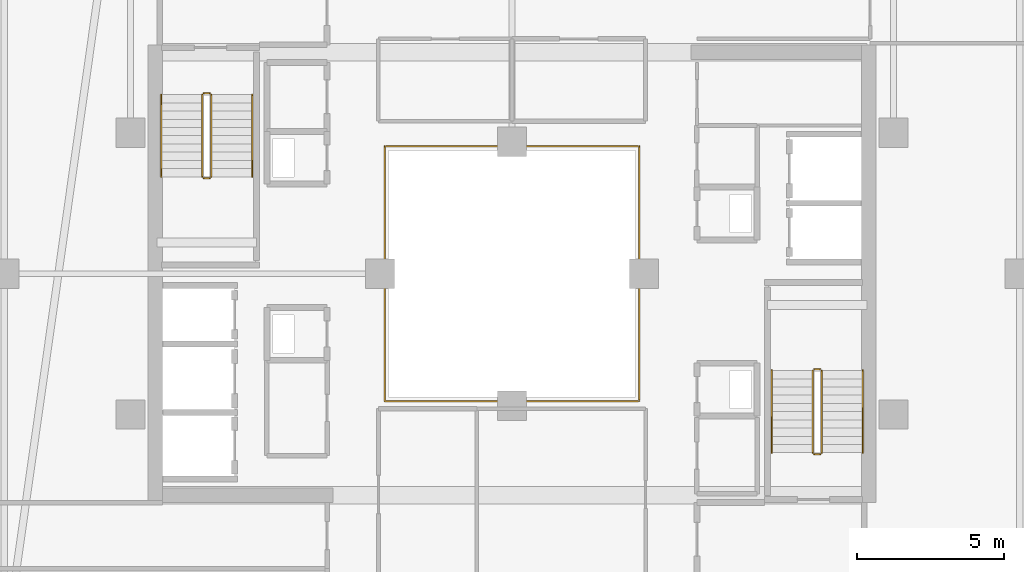
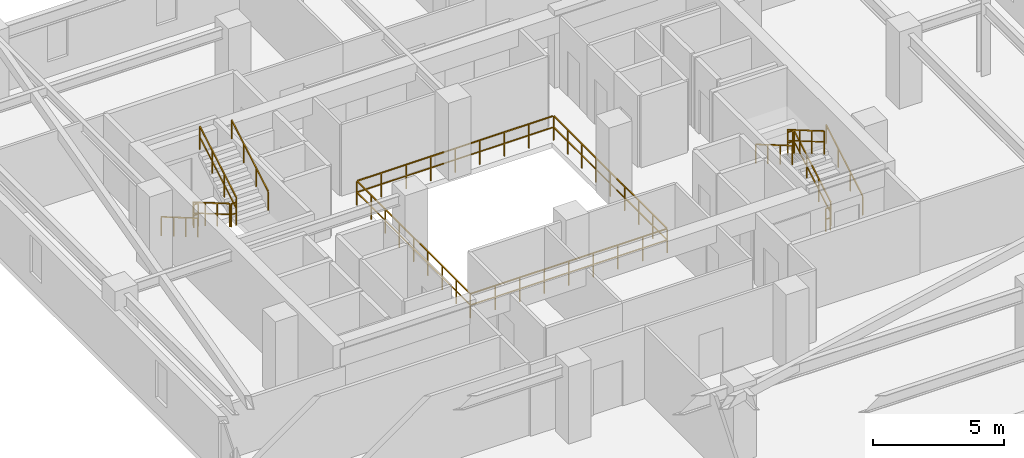
# One storey, part 31 of 32: 13 railings.
"""IFC4 building model written with IfcOpenShell, lengths in metres."""

import ifcopenshell
import ifcopenshell.guid

model = None  # the IFC model being written
_history = None  # IfcOwnerHistory: only IFC2X3 demands one
_inside = {}  # id of a spatial element -> (the spatial element, [elements in it])
_under = {}  # id of a project, library or spatial element -> (it, [spatial elements below it])
_declared = {}  # id of a project -> (the project, [libraries it declares])
_typed = {}  # id of a type object -> (the type object, [elements of that type])
_made_of = {}  # id of a material, layer set ... -> (it, [elements and type objects made of it])


def new_model(schema):
    """Start an empty IFC model of exactly this schema.

    Asked for "IFC4X3", IfcOpenShell would pick the latest addendum, in which some entities
    have other attributes; the version numbers below select the first issue.
    IFC2X3 requires an IfcOwnerHistory on every rooted entity: one is made here for all.
    """
    global model, _history
    if schema == "IFC4X3":
        model = ifcopenshell.file(schema_version=(4, 3, 0, 0))
    else:
        model = ifcopenshell.file(schema=schema)
    _inside.clear()
    _under.clear()
    _declared.clear()
    _typed.clear()
    _made_of.clear()
    _history = None
    if model.schema == "IFC2X3":
        org = make("IfcOrganization", Name="unknown")
        user = make(
            "IfcPersonAndOrganization",
            ThePerson=make("IfcPerson", FamilyName="unknown"),
            TheOrganization=org,
        )
        app = make(
            "IfcApplication",
            ApplicationDeveloper=org,
            Version="unknown",
            ApplicationFullName="unknown",
            ApplicationIdentifier="unknown",
        )
        _history = make(
            "IfcOwnerHistory",
            OwningUser=user,
            OwningApplication=app,
            ChangeAction="ADDED",
            CreationDate=0,
        )
    return model


def make(cls, **values):
    """One entity of the class cls with the attributes given. An attribute that is None is left unset."""
    return model.create_entity(
        cls, **{name: value for name, value in values.items() if value is not None}
    )


def rooted(cls, **values):
    """An entity with a GlobalId (a new one), such as an element, a storey or a relation."""
    return make(cls, GlobalId=ifcopenshell.guid.new(), OwnerHistory=_history, **values)


def si_unit(unit_type, name, prefix=None):
    """IfcSIUnit, for example si_unit("LENGTHUNIT", "METRE", prefix="MILLI")."""
    return make("IfcSIUnit", UnitType=unit_type, Prefix=prefix, Name=name)


def assignment(units):
    """IfcUnitAssignment: the units of a project."""
    return None if units is None else make("IfcUnitAssignment", Units=units)


def point(xyz):
    """IfcCartesianPoint."""
    return None if xyz is None else make("IfcCartesianPoint", Coordinates=xyz)


def direction(xyz):
    """IfcDirection."""
    return None if xyz is None else make("IfcDirection", DirectionRatios=xyz)


def frame(location, z_axis=None, x_axis=None):
    """IfcAxis2Placement3D, a coordinate frame: its origin and axes. An axis left out is left unset."""
    return make(
        "IfcAxis2Placement3D",
        Location=point(location),
        Axis=direction(z_axis),
        RefDirection=direction(x_axis),
    )


def frame_2d(location, x_axis=None):
    """IfcAxis2Placement2D, a coordinate frame in the plane: its origin and x axis."""
    return make(
        "IfcAxis2Placement2D", Location=point(location), RefDirection=direction(x_axis)
    )


def origin():
    """The frame at (0, 0, 0) with its axes left unset."""
    return frame((0.0, 0.0, 0.0))


def origin_2d():
    """The frame at (0, 0) in the plane with its x axis left unset."""
    return frame_2d((0.0, 0.0))


def place(relative_to, where):
    """IfcLocalPlacement: puts the frame where relative to a parent placement (None: the world)."""
    return make(
        "IfcLocalPlacement", PlacementRelTo=relative_to, RelativePlacement=where
    )


def context(
    kind, dimensions, precision=None, world=None, true_north=None, identifier=None
):
    """IfcGeometricRepresentationContext, for example the 3D "Model" context."""
    return make(
        "IfcGeometricRepresentationContext",
        ContextIdentifier=identifier,
        ContextType=kind,
        CoordinateSpaceDimension=dimensions,
        Precision=precision,
        WorldCoordinateSystem=world,
        TrueNorth=true_north,
    )


def subcontext(parent, identifier, kind, view, scale=None):
    """IfcGeometricRepresentationSubContext, for example "Body" below "Model"."""
    return make(
        "IfcGeometricRepresentationSubContext",
        ContextIdentifier=identifier,
        ContextType=kind,
        ParentContext=parent,
        TargetScale=scale,
        TargetView=view,
    )


def project(units=None, contexts=None):
    """IfcProject with its units and contexts."""
    return rooted(
        "IfcProject",
        Name="project",
        RepresentationContexts=contexts,
        UnitsInContext=assignment(units),
    )


def spatial(cls, under=None, at=None, **own):
    """A site, building, storey or space (cls), placed at a placement, below another one or the project."""
    s = rooted(cls, ObjectPlacement=at, **own)
    if under is not None:
        _under.setdefault(under.id(), (under, []))[1].append(s)
    return s


def profile(cls, at=None, kind="AREA", **sizes):
    """A parametric profile (cls). Its sizes go by their IFC names, for example OverallWidth=200.0."""
    return make(cls, ProfileType=kind, Position=at, **sizes)


def rectangle(**sizes):
    """IfcRectangleProfileDef."""
    return profile("IfcRectangleProfileDef", **sizes)


def extrude(swept, where, along, depth):
    """IfcExtrudedAreaSolid: the profile swept, set in the frame where, extruded along a direction by depth."""
    return make(
        "IfcExtrudedAreaSolid",
        SweptArea=swept,
        Position=where,
        ExtrudedDirection=direction(along),
        Depth=depth,
    )


def shape(context_of_items, identifier, shape_type, items):
    """IfcShapeRepresentation: the items that make up one representation, for example the "Body"."""
    return make(
        "IfcShapeRepresentation",
        ContextOfItems=context_of_items,
        RepresentationIdentifier=identifier,
        RepresentationType=shape_type,
        Items=items,
    )


def material(Name=None, Category=None):
    """IfcMaterial."""
    return make("IfcMaterial", Name=Name, Category=Category)


def made_of(thing, what):
    """Note that an element or type object is made of a material, layer set ...; save() writes the relation."""
    if what is not None:
        _made_of.setdefault(what.id(), (what, []))[1].append(thing)
    return thing


def type_object(cls, material=None, **own):
    """A type object (cls), such as IfcWallType, which elements share."""
    return made_of(rooted(cls, **own), material)


def element(
    cls,
    number,
    at=None,
    inside=None,
    cuts=None,
    type_object=None,
    material=None,
    context=None,
    identifier="Body",
    shape_type=None,
    held_by="IfcProductDefinitionShape",
    body=None,
    shapes=None,
    **own,
):
    """One element of the class cls, such as IfcWall. Its Tag is "e" and its number.

    at: its placement. inside: the storey or other place that contains it. cuts: it is an
    opening in that element (IfcRelVoidsElement). A single representation is given by context,
    identifier, shape_type and body (its items); several are given by shapes. held_by: the class
    of the entity that holds the representations. save() writes the other relations.
    """
    e = rooted(cls, Tag="e%d" % number, ObjectPlacement=at, **own)
    if body is not None:
        shapes = [shape(context, identifier, shape_type, body)]
    if shapes is not None:
        e.Representation = make(held_by, Representations=shapes)
    if inside is not None:
        _inside.setdefault(inside.id(), (inside, []))[1].append(e)
    if cuts is not None:
        rooted(
            "IfcRelVoidsElement", RelatingBuildingElement=cuts, RelatedOpeningElement=e
        )
    if type_object is not None:
        _typed.setdefault(type_object.id(), (type_object, []))[1].append(e)
    return made_of(e, material)


def aggregate(whole, parts):
    """IfcRelAggregates: a whole, such as a stair, and the parts it consists of."""
    return rooted("IfcRelAggregates", RelatingObject=whole, RelatedObjects=parts)


def save(model, path):
    """Write the relations noted so far, then the file.

    IfcRelAggregates (storeys below a building ...), IfcRelContainedInSpatialStructure (elements
    in a storey), IfcRelDefinesByType, IfcRelAssociatesMaterial and IfcRelDeclares: one each for
    every whole, place, type object, material and project.
    """
    for whole, parts in _under.values():
        aggregate(whole, parts)
    for where, things in _inside.values():
        rooted(
            "IfcRelContainedInSpatialStructure",
            RelatedElements=things,
            RelatingStructure=where,
        )
    for kind, things in _typed.values():
        rooted("IfcRelDefinesByType", RelatedObjects=things, RelatingType=kind)
    for what, things in _made_of.values():
        rooted("IfcRelAssociatesMaterial", RelatedObjects=things, RelatingMaterial=what)
    for by, libraries in _declared.values():
        rooted("IfcRelDeclares", RelatingContext=by, RelatedDefinitions=libraries)
    model.write(path)


model = new_model("IFC4")

# Units and contexts
model_context = context("Model", 3, precision=1e-05, world=origin(), true_north=direction((0.0, 1.0)))
body_context = subcontext(model_context, "Body", "Model", "MODEL_VIEW")
ifc_project = project(units=[si_unit("LENGTHUNIT", "METRE"), si_unit("AREAUNIT", "SQUARE_METRE"), si_unit("VOLUMEUNIT", "CUBIC_METRE"), si_unit("PLANEANGLEUNIT", "RADIAN"), si_unit("MASSUNIT", "GRAM", prefix="KILO")], contexts=[model_context])

# Site, building, storey
site_placement = place(None, origin())
site = spatial("IfcSite", under=ifc_project, at=site_placement, CompositionType="ELEMENT")
building_placement = place(site_placement, origin())
building = spatial("IfcBuilding", under=site, at=building_placement, Name="Thornwick Lancets Civic Towers", CompositionType="ELEMENT")
storey_placement = place(building_placement, frame((0.0, 0.0, 240.300048828125)))
storey = spatial("IfcBuildingStorey", under=building, at=storey_placement, Name="L64", CompositionType="ELEMENT", Elevation=240.300048828125)

# Railings
ifc_material_1 = material(Name="Laminated glass and bronze steel S355", Category="steel")
railing_type_1 = type_object("IfcRailingType", Name="RAIL_ATRIUM_GUARD", PredefinedType="BALUSTRADE", material=ifc_material_1)
railing_1_placement = place(storey_placement, frame((84.159912109375, 22.659912109375, 0.0)))
element("IfcRailing", 1, at=railing_1_placement, inside=storey, type_object=railing_type_1, Name="L64 Tower B Central Atrium Guard Balustrade", PredefinedType="BALUSTRADE", context=body_context, shape_type="SweptSolid", body=[
    extrude(rectangle(XDim=0.048095703125, YDim=0.048095703125, at=origin_2d()), frame((0.0, 0.0, 1.1259765625), z_axis=(1.0, 0.0, 0.0), x_axis=(0.0, 1.0, 0.0)), (0.0, 0.0, 1.0), 8.64892578125),
    extrude(rectangle(XDim=0.0419921875, YDim=0.0419921875, at=origin_2d()), frame((0.03759765625, 0.0, 0.597900390625), z_axis=(1.0, 0.0, 0.0), x_axis=(0.0, 1.0, 0.0)), (0.0, 0.0, 1.0), 1.010009765625),
    extrude(rectangle(XDim=0.0419921875, YDim=0.0419921875, at=origin_2d()), frame((1.12255859375, 0.0, 0.597900390625), z_axis=(1.0, 0.0, 0.0), x_axis=(0.0, 1.0, 0.0)), (0.0, 0.0, 1.0), 1.010009765625),
    extrude(rectangle(XDim=0.0419921875, YDim=0.0419921875, at=origin_2d()), frame((2.20751953125, 0.0, 0.597900390625), z_axis=(1.0, 0.0, 0.0), x_axis=(0.0, 1.0, 0.0)), (0.0, 0.0, 1.0), 1.010009765625),
    extrude(rectangle(XDim=0.0419921875, YDim=0.0419921875, at=origin_2d()), frame((3.29248046875, 0.0, 0.597900390625), z_axis=(1.0, 0.0, 0.0), x_axis=(0.0, 1.0, 0.0)), (0.0, 0.0, 1.0), 1.010009765625),
    extrude(rectangle(XDim=0.0419921875, YDim=0.0419921875, at=origin_2d()), frame((4.377685546875, 0.0, 0.597900390625), z_axis=(1.0, 0.0, 0.0), x_axis=(0.0, 1.0, 0.0)), (0.0, 0.0, 1.0), 1.010009765625),
    extrude(rectangle(XDim=0.0419921875, YDim=0.0419921875, at=origin_2d()), frame((5.462646484375, 0.0, 0.597900390625), z_axis=(1.0, 0.0, 0.0), x_axis=(0.0, 1.0, 0.0)), (0.0, 0.0, 1.0), 1.010009765625),
    extrude(rectangle(XDim=0.0419921875, YDim=0.0419921875, at=origin_2d()), frame((6.547607421875, 0.0, 0.597900390625), z_axis=(1.0, 0.0, 0.0), x_axis=(0.0, 1.0, 0.0)), (0.0, 0.0, 1.0), 1.010009765625),
    extrude(rectangle(XDim=0.0419921875, YDim=0.0419921875, at=origin_2d()), frame((7.632568359375, 0.0, 0.597900390625), z_axis=(1.0, 0.0, 0.0), x_axis=(0.0, 1.0, 0.0)), (0.0, 0.0, 1.0), 1.010009765625),
    extrude(rectangle(XDim=0.048095703125, YDim=0.048095703125, at=origin_2d()), frame((8.68017578125, 0.03125, 1.1259765625), z_axis=(0.0, 1.0, 0.0), x_axis=(-1.0, 0.0, 0.0)), (0.0, 0.0, 1.0), 8.61767578125),
    extrude(rectangle(XDim=0.0419921875, YDim=0.0419921875, at=origin_2d()), frame((8.68017578125, 0.03759765625, 0.597900390625), z_axis=(0.0, 1.0, 0.0), x_axis=(-1.0, 0.0, 0.0)), (0.0, 0.0, 1.0), 1.010009765625),
    extrude(rectangle(XDim=0.0419921875, YDim=0.0419921875, at=origin_2d()), frame((8.68017578125, 1.12255859375, 0.597900390625), z_axis=(0.0, 1.0, 0.0), x_axis=(-1.0, 0.0, 0.0)), (0.0, 0.0, 1.0), 1.010009765625),
    extrude(rectangle(XDim=0.0419921875, YDim=0.0419921875, at=origin_2d()), frame((8.68017578125, 2.20751953125, 0.597900390625), z_axis=(0.0, 1.0, 0.0), x_axis=(-1.0, 0.0, 0.0)), (0.0, 0.0, 1.0), 1.010009765625),
    extrude(rectangle(XDim=0.0419921875, YDim=0.0419921875, at=origin_2d()), frame((8.68017578125, 3.29248046875, 0.597900390625), z_axis=(0.0, 1.0, 0.0), x_axis=(-1.0, 0.0, 0.0)), (0.0, 0.0, 1.0), 1.010009765625),
    extrude(rectangle(XDim=0.0419921875, YDim=0.0419921875, at=origin_2d()), frame((8.68017578125, 4.377685546875, 0.597900390625), z_axis=(0.0, 1.0, 0.0), x_axis=(-1.0, 0.0, 0.0)), (0.0, 0.0, 1.0), 1.010009765625),
    extrude(rectangle(XDim=0.0419921875, YDim=0.0419921875, at=origin_2d()), frame((8.68017578125, 5.462646484375, 0.597900390625), z_axis=(0.0, 1.0, 0.0), x_axis=(-1.0, 0.0, 0.0)), (0.0, 0.0, 1.0), 1.010009765625),
    extrude(rectangle(XDim=0.0419921875, YDim=0.0419921875, at=origin_2d()), frame((8.68017578125, 6.547607421875, 0.597900390625), z_axis=(0.0, 1.0, 0.0), x_axis=(-1.0, 0.0, 0.0)), (0.0, 0.0, 1.0), 1.010009765625),
    extrude(rectangle(XDim=0.0419921875, YDim=0.0419921875, at=origin_2d()), frame((8.68017578125, 7.632568359375, 0.597900390625), z_axis=(0.0, 1.0, 0.0), x_axis=(-1.0, 0.0, 0.0)), (0.0, 0.0, 1.0), 1.010009765625),
    extrude(rectangle(XDim=0.048095703125, YDim=0.048095703125, at=origin_2d()), frame((8.64892578125, 8.68017578125, 1.1259765625), z_axis=(-1.0, 0.0, 0.0), x_axis=(0.0, -1.0, 0.0)), (0.0, 0.0, 1.0), 8.61767578125),
    extrude(rectangle(XDim=0.0419921875, YDim=0.0419921875, at=origin_2d()), frame((8.642578125, 8.68017578125, 0.597900390625), z_axis=(-1.0, 0.0, 0.0), x_axis=(0.0, -1.0, 0.0)), (0.0, 0.0, 1.0), 1.010009765625),
    extrude(rectangle(XDim=0.0419921875, YDim=0.0419921875, at=origin_2d()), frame((7.5576171875, 8.68017578125, 0.597900390625), z_axis=(-1.0, 0.0, 0.0), x_axis=(0.0, -1.0, 0.0)), (0.0, 0.0, 1.0), 1.010009765625),
    extrude(rectangle(XDim=0.0419921875, YDim=0.0419921875, at=origin_2d()), frame((6.47265625, 8.68017578125, 0.597900390625), z_axis=(-1.0, 0.0, 0.0), x_axis=(0.0, -1.0, 0.0)), (0.0, 0.0, 1.0), 1.010009765625),
    extrude(rectangle(XDim=0.0419921875, YDim=0.0419921875, at=origin_2d()), frame((5.3876953125, 8.68017578125, 0.597900390625), z_axis=(-1.0, 0.0, 0.0), x_axis=(0.0, -1.0, 0.0)), (0.0, 0.0, 1.0), 1.010009765625),
    extrude(rectangle(XDim=0.0419921875, YDim=0.0419921875, at=origin_2d()), frame((4.302490234375, 8.68017578125, 0.597900390625), z_axis=(-1.0, 0.0, 0.0), x_axis=(0.0, -1.0, 0.0)), (0.0, 0.0, 1.0), 1.010009765625),
    extrude(rectangle(XDim=0.0419921875, YDim=0.0419921875, at=origin_2d()), frame((3.217529296875, 8.68017578125, 0.597900390625), z_axis=(-1.0, 0.0, 0.0), x_axis=(0.0, -1.0, 0.0)), (0.0, 0.0, 1.0), 1.010009765625),
    extrude(rectangle(XDim=0.0419921875, YDim=0.0419921875, at=origin_2d()), frame((2.132568359375, 8.68017578125, 0.597900390625), z_axis=(-1.0, 0.0, 0.0), x_axis=(0.0, -1.0, 0.0)), (0.0, 0.0, 1.0), 1.010009765625),
    extrude(rectangle(XDim=0.0419921875, YDim=0.0419921875, at=origin_2d()), frame((1.047607421875, 8.68017578125, 0.597900390625), z_axis=(-1.0, 0.0, 0.0), x_axis=(0.0, -1.0, 0.0)), (0.0, 0.0, 1.0), 1.010009765625),
    extrude(rectangle(XDim=0.048095703125, YDim=0.048095703125, at=origin_2d()), frame((0.0, 8.64892578125, 1.1259765625), z_axis=(0.0, -1.0, 0.0), x_axis=(1.0, 0.0, 0.0)), (0.0, 0.0, 1.0), 8.64892578125),
    extrude(rectangle(XDim=0.0419921875, YDim=0.0419921875, at=origin_2d()), frame((0.0, 8.642578125, 0.597900390625), z_axis=(0.0, -1.0, 0.0), x_axis=(1.0, 0.0, 0.0)), (0.0, 0.0, 1.0), 1.010009765625),
    extrude(rectangle(XDim=0.0419921875, YDim=0.0419921875, at=origin_2d()), frame((0.0, 7.5576171875, 0.597900390625), z_axis=(0.0, -1.0, 0.0), x_axis=(1.0, 0.0, 0.0)), (0.0, 0.0, 1.0), 1.010009765625),
    extrude(rectangle(XDim=0.0419921875, YDim=0.0419921875, at=origin_2d()), frame((0.0, 6.47265625, 0.597900390625), z_axis=(0.0, -1.0, 0.0), x_axis=(1.0, 0.0, 0.0)), (0.0, 0.0, 1.0), 1.010009765625),
    extrude(rectangle(XDim=0.0419921875, YDim=0.0419921875, at=origin_2d()), frame((0.0, 5.3876953125, 0.597900390625), z_axis=(0.0, -1.0, 0.0), x_axis=(1.0, 0.0, 0.0)), (0.0, 0.0, 1.0), 1.010009765625),
    extrude(rectangle(XDim=0.0419921875, YDim=0.0419921875, at=origin_2d()), frame((0.0, 4.302490234375, 0.597900390625), z_axis=(0.0, -1.0, 0.0), x_axis=(1.0, 0.0, 0.0)), (0.0, 0.0, 1.0), 1.010009765625),
    extrude(rectangle(XDim=0.0419921875, YDim=0.0419921875, at=origin_2d()), frame((0.0, 3.217529296875, 0.597900390625), z_axis=(0.0, -1.0, 0.0), x_axis=(1.0, 0.0, 0.0)), (0.0, 0.0, 1.0), 1.010009765625),
    extrude(rectangle(XDim=0.0419921875, YDim=0.0419921875, at=origin_2d()), frame((0.0, 2.132568359375, 0.597900390625), z_axis=(0.0, -1.0, 0.0), x_axis=(1.0, 0.0, 0.0)), (0.0, 0.0, 1.0), 1.010009765625),
    extrude(rectangle(XDim=0.0419921875, YDim=0.0419921875, at=origin_2d()), frame((0.0, 1.047607421875, 0.597900390625), z_axis=(0.0, -1.0, 0.0), x_axis=(1.0, 0.0, 0.0)), (0.0, 0.0, 1.0), 1.010009765625),
    extrude(rectangle(XDim=0.0419921875, YDim=0.0419921875, at=origin_2d()), origin(), (0.0, 0.0, 1.0), 1.095703125),
    extrude(rectangle(XDim=0.0419921875, YDim=0.0419921875, at=origin_2d()), frame((1.0849609375, 0.0, 0.0)), (0.0, 0.0, 1.0), 1.095703125),
    extrude(rectangle(XDim=0.0419921875, YDim=0.0419921875, at=origin_2d()), frame((2.169921875, 0.0, 0.0)), (0.0, 0.0, 1.0), 1.095703125),
    extrude(rectangle(XDim=0.0419921875, YDim=0.0419921875, at=origin_2d()), frame((3.255126953125, 0.0, 0.0)), (0.0, 0.0, 1.0), 1.095703125),
    extrude(rectangle(XDim=0.0419921875, YDim=0.0419921875, at=origin_2d()), frame((4.340087890625, 0.0, 0.0)), (0.0, 0.0, 1.0), 1.095703125),
    extrude(rectangle(XDim=0.0419921875, YDim=0.0419921875, at=origin_2d()), frame((5.425048828125, 0.0, 0.0)), (0.0, 0.0, 1.0), 1.095703125),
    extrude(rectangle(XDim=0.0419921875, YDim=0.0419921875, at=origin_2d()), frame((6.51025390625, 0.0, 0.0)), (0.0, 0.0, 1.0), 1.095703125),
    extrude(rectangle(XDim=0.0419921875, YDim=0.0419921875, at=origin_2d()), frame((7.59521484375, 0.0, 0.0)), (0.0, 0.0, 1.0), 1.095703125),
    extrude(rectangle(XDim=0.0419921875, YDim=0.0419921875, at=origin_2d()), frame((8.68017578125, 0.0, 0.0)), (0.0, 0.0, 1.0), 1.095703125),
    extrude(rectangle(XDim=0.0419921875, YDim=0.0419921875, at=origin_2d()), frame((8.68017578125, 1.0849609375, 0.0)), (0.0, 0.0, 1.0), 1.095703125),
    extrude(rectangle(XDim=0.0419921875, YDim=0.0419921875, at=origin_2d()), frame((8.68017578125, 2.169921875, 0.0)), (0.0, 0.0, 1.0), 1.095703125),
    extrude(rectangle(XDim=0.0419921875, YDim=0.0419921875, at=origin_2d()), frame((8.68017578125, 3.255126953125, 0.0)), (0.0, 0.0, 1.0), 1.095703125),
    extrude(rectangle(XDim=0.0419921875, YDim=0.0419921875, at=origin_2d()), frame((8.68017578125, 4.340087890625, 0.0)), (0.0, 0.0, 1.0), 1.095703125),
    extrude(rectangle(XDim=0.0419921875, YDim=0.0419921875, at=origin_2d()), frame((8.68017578125, 5.425048828125, 0.0)), (0.0, 0.0, 1.0), 1.095703125),
    extrude(rectangle(XDim=0.0419921875, YDim=0.0419921875, at=origin_2d()), frame((8.68017578125, 6.51025390625, 0.0)), (0.0, 0.0, 1.0), 1.095703125),
    extrude(rectangle(XDim=0.0419921875, YDim=0.0419921875, at=origin_2d()), frame((8.68017578125, 7.59521484375, 0.0)), (0.0, 0.0, 1.0), 1.095703125),
    extrude(rectangle(XDim=0.0419921875, YDim=0.0419921875, at=origin_2d()), frame((8.68017578125, 8.68017578125, 0.0)), (0.0, 0.0, 1.0), 1.095703125),
    extrude(rectangle(XDim=0.0419921875, YDim=0.0419921875, at=origin_2d()), frame((7.59521484375, 8.68017578125, 0.0)), (0.0, 0.0, 1.0), 1.095703125),
    extrude(rectangle(XDim=0.0419921875, YDim=0.0419921875, at=origin_2d()), frame((6.51025390625, 8.68017578125, 0.0)), (0.0, 0.0, 1.0), 1.095703125),
    extrude(rectangle(XDim=0.0419921875, YDim=0.0419921875, at=origin_2d()), frame((5.425048828125, 8.68017578125, 0.0)), (0.0, 0.0, 1.0), 1.095703125),
    extrude(rectangle(XDim=0.0419921875, YDim=0.0419921875, at=origin_2d()), frame((4.340087890625, 8.68017578125, 0.0)), (0.0, 0.0, 1.0), 1.095703125),
    extrude(rectangle(XDim=0.0419921875, YDim=0.0419921875, at=origin_2d()), frame((3.255126953125, 8.68017578125, 0.0)), (0.0, 0.0, 1.0), 1.095703125),
    extrude(rectangle(XDim=0.0419921875, YDim=0.0419921875, at=origin_2d()), frame((2.169921875, 8.68017578125, 0.0)), (0.0, 0.0, 1.0), 1.095703125),
    extrude(rectangle(XDim=0.0419921875, YDim=0.0419921875, at=origin_2d()), frame((1.0849609375, 8.68017578125, 0.0)), (0.0, 0.0, 1.0), 1.095703125),
    extrude(rectangle(XDim=0.0419921875, YDim=0.0419921875, at=origin_2d()), frame((0.0, 8.68017578125, 0.0)), (0.0, 0.0, 1.0), 1.095703125),
    extrude(rectangle(XDim=0.0419921875, YDim=0.0419921875, at=origin_2d()), frame((0.0, 7.59521484375, 0.0)), (0.0, 0.0, 1.0), 1.095703125),
    extrude(rectangle(XDim=0.0419921875, YDim=0.0419921875, at=origin_2d()), frame((0.0, 6.51025390625, 0.0)), (0.0, 0.0, 1.0), 1.095703125),
    extrude(rectangle(XDim=0.0419921875, YDim=0.0419921875, at=origin_2d()), frame((0.0, 5.425048828125, 0.0)), (0.0, 0.0, 1.0), 1.095703125),
    extrude(rectangle(XDim=0.0419921875, YDim=0.0419921875, at=origin_2d()), frame((0.0, 4.340087890625, 0.0)), (0.0, 0.0, 1.0), 1.095703125),
    extrude(rectangle(XDim=0.0419921875, YDim=0.0419921875, at=origin_2d()), frame((0.0, 3.255126953125, 0.0)), (0.0, 0.0, 1.0), 1.095703125),
    extrude(rectangle(XDim=0.0419921875, YDim=0.0419921875, at=origin_2d()), frame((0.0, 2.169921875, 0.0)), (0.0, 0.0, 1.0), 1.095703125),
    extrude(rectangle(XDim=0.0419921875, YDim=0.0419921875, at=origin_2d()), frame((0.0, 1.0849609375, 0.0)), (0.0, 0.0, 1.0), 1.095703125),
])
ifc_material_2 = material(Name="Brushed stainless steel S355", Category="steel")
railing_type_2 = type_object("IfcRailingType", Name="RAIL_HANDRAIL", PredefinedType="HANDRAIL", material=ifc_material_2)
railing_2_placement = place(storey_placement, frame((100.449951171875, 20.89990234375, 0.16357421875)))
element("IfcRailing", 2, at=railing_2_placement, inside=storey, type_object=railing_type_2, Name="L64 ST-B1 stair handrail 1", PredefinedType="HANDRAIL", context=body_context, shape_type="SweptSolid", body=[
    extrude(rectangle(XDim=0.048095703125, YDim=0.048095703125, at=origin_2d()), frame((0.0, 0.0, 0.8857421875), z_axis=(0.0, 0.863360870873, 0.504586966384), x_axis=(-1.0, 0.0, 0.0)), (0.0, 0.0, 1.0), 3.2431640625),
    extrude(rectangle(XDim=0.0419921875, YDim=0.0419921875, at=origin_2d()), origin(), (0.0, 0.0, 1.0), 0.855712890625),
    extrude(rectangle(XDim=0.0419921875, YDim=0.0419921875, at=origin_2d()), frame((0.0, 0.933349609375, 0.54541015625)), (0.0, 0.0, 1.0), 0.855712890625),
    extrude(rectangle(XDim=0.0419921875, YDim=0.0419921875, at=origin_2d()), frame((0.0, 1.86669921875, 1.091064453125)), (0.0, 0.0, 1.0), 0.855712890625),
    extrude(rectangle(XDim=0.0419921875, YDim=0.0419921875, at=origin_2d()), frame((0.0, 2.800048828125, 1.636474609375)), (0.0, 0.0, 1.0), 0.855712890625),
])
railing_3_placement = place(storey_placement, frame((97.35009765625, 23.699951171875, 1.963623046875)))
element("IfcRailing", 3, at=railing_3_placement, inside=storey, type_object=railing_type_2, Name="L64 ST-B1 stair handrail 2", PredefinedType="HANDRAIL", context=body_context, shape_type="SweptSolid", body=[
    extrude(rectangle(XDim=0.048095703125, YDim=0.048095703125, at=origin_2d()), frame((0.0, 0.0, 0.8857421875), z_axis=(0.0, -0.863393664356, 0.504530851732), x_axis=(1.0, 0.0, 0.0)), (0.0, 0.0, 1.0), 3.2431640625),
    extrude(rectangle(XDim=0.0419921875, YDim=0.0419921875, at=origin_2d()), origin(), (0.0, 0.0, 1.0), 0.855712890625),
    extrude(rectangle(XDim=0.0419921875, YDim=0.0419921875, at=origin_2d()), frame((0.0, -0.933349609375, 0.54541015625)), (0.0, 0.0, 1.0), 0.855712890625),
    extrude(rectangle(XDim=0.0419921875, YDim=0.0419921875, at=origin_2d()), frame((0.0, -1.86669921875, 1.0908203125)), (0.0, 0.0, 1.0), 0.855712890625),
    extrude(rectangle(XDim=0.0419921875, YDim=0.0419921875, at=origin_2d()), frame((0.0, -2.800048828125, 1.63623046875)), (0.0, 0.0, 1.0), 0.855712890625),
])
railing_4_placement = place(storey_placement, frame((76.550048828125, 33.10009765625, 0.16357421875)))
element("IfcRailing", 4, at=railing_4_placement, inside=storey, type_object=railing_type_2, Name="L64 ST-B2 stair handrail 1", PredefinedType="HANDRAIL", context=body_context, shape_type="SweptSolid", body=[
    extrude(rectangle(XDim=0.048095703125, YDim=0.048095703125, at=origin_2d()), frame((0.0, 0.0, 0.8857421875), z_axis=(0.0, -0.863360870873, 0.504586966384), x_axis=(1.0, 0.0, 0.0)), (0.0, 0.0, 1.0), 3.2431640625),
    extrude(rectangle(XDim=0.0419921875, YDim=0.0419921875, at=origin_2d()), origin(), (0.0, 0.0, 1.0), 0.855712890625),
    extrude(rectangle(XDim=0.0419921875, YDim=0.0419921875, at=origin_2d()), frame((0.0, -0.933349609375, 0.54541015625)), (0.0, 0.0, 1.0), 0.855712890625),
    extrude(rectangle(XDim=0.0419921875, YDim=0.0419921875, at=origin_2d()), frame((0.0, -1.86669921875, 1.091064453125)), (0.0, 0.0, 1.0), 0.855712890625),
    extrude(rectangle(XDim=0.0419921875, YDim=0.0419921875, at=origin_2d()), frame((0.0, -2.800048828125, 1.636474609375)), (0.0, 0.0, 1.0), 0.855712890625),
])
railing_5_placement = place(storey_placement, frame((79.64990234375, 30.300048828125, 1.963623046875)))
element("IfcRailing", 5, at=railing_5_placement, inside=storey, type_object=railing_type_2, Name="L64 ST-B2 stair handrail 2", PredefinedType="HANDRAIL", context=body_context, shape_type="SweptSolid", body=[
    extrude(rectangle(XDim=0.048095703125, YDim=0.048095703125, at=origin_2d()), frame((0.0, 0.0, 0.8857421875), z_axis=(0.0, 0.863393664356, 0.504530851732), x_axis=(-1.0, 0.0, 0.0)), (0.0, 0.0, 1.0), 3.2431640625),
    extrude(rectangle(XDim=0.0419921875, YDim=0.0419921875, at=origin_2d()), origin(), (0.0, 0.0, 1.0), 0.855712890625),
    extrude(rectangle(XDim=0.0419921875, YDim=0.0419921875, at=origin_2d()), frame((0.0, 0.933349609375, 0.54541015625)), (0.0, 0.0, 1.0), 0.855712890625),
    extrude(rectangle(XDim=0.0419921875, YDim=0.0419921875, at=origin_2d()), frame((0.0, 1.86669921875, 1.0908203125)), (0.0, 0.0, 1.0), 0.855712890625),
    extrude(rectangle(XDim=0.0419921875, YDim=0.0419921875, at=origin_2d()), frame((0.0, 2.800048828125, 1.63623046875)), (0.0, 0.0, 1.0), 0.855712890625),
])
ifc_material_3 = material(Name="Steel S355JR", Category="steel")
railing_type_3 = type_object("IfcRailingType", Name="RAIL_STAIR_GUARD", PredefinedType="GUARDRAIL", material=ifc_material_3)
railing_6_placement = place(storey_placement, frame((99.050048828125, 20.89990234375, 0.16357421875)))
element("IfcRailing", 6, at=railing_6_placement, inside=storey, type_object=railing_type_3, Name="L64 ST-B1 stair guard 1", PredefinedType="GUARDRAIL", context=body_context, shape_type="SweptSolid", body=[
    extrude(rectangle(XDim=0.048095703125, YDim=0.048095703125, at=origin_2d()), frame((0.0, 0.0, 1.076171875), z_axis=(0.0, 0.863360870873, 0.504586966384), x_axis=(-1.0, 0.0, 0.0)), (0.0, 0.0, 1.0), 3.2431640625),
    extrude(rectangle(XDim=0.0419921875, YDim=0.0419921875, at=origin_2d()), frame((0.0, 0.032470703125, 0.591064453125), z_axis=(0.0, 0.863360870873, 0.504586966384), x_axis=(-1.0, 0.0, 0.0)), (0.0, 0.0, 1.0), 1.006103515625),
    extrude(rectangle(XDim=0.0419921875, YDim=0.0419921875, at=origin_2d()), frame((0.0, 0.9658203125, 1.136474609375), z_axis=(0.0, 0.863360870873, 0.504586966384), x_axis=(-1.0, 0.0, 0.0)), (0.0, 0.0, 1.0), 1.006103515625),
    extrude(rectangle(XDim=0.0419921875, YDim=0.0419921875, at=origin_2d()), frame((0.0, 1.899169921875, 1.681884765625), z_axis=(0.0, 0.863360870873, 0.504586966384), x_axis=(-1.0, 0.0, 0.0)), (0.0, 0.0, 1.0), 1.006103515625),
    extrude(rectangle(XDim=0.0419921875, YDim=0.0419921875, at=origin_2d()), origin(), (0.0, 0.0, 1.0), 1.0458984375),
    extrude(rectangle(XDim=0.0419921875, YDim=0.0419921875, at=origin_2d()), frame((0.0, 0.933349609375, 0.54541015625)), (0.0, 0.0, 1.0), 1.0458984375),
    extrude(rectangle(XDim=0.0419921875, YDim=0.0419921875, at=origin_2d()), frame((0.0, 1.86669921875, 1.091064453125)), (0.0, 0.0, 1.0), 1.0458984375),
    extrude(rectangle(XDim=0.0419921875, YDim=0.0419921875, at=origin_2d()), frame((0.0, 2.800048828125, 1.636474609375)), (0.0, 0.0, 1.0), 1.0458984375),
])
railing_7_placement = place(storey_placement, frame((99.0, 23.75, 1.800048828125)))
element("IfcRailing", 7, at=railing_7_placement, inside=storey, type_object=railing_type_3, Name="L64 ST-B1 stair guard 2", PredefinedType="GUARDRAIL", context=body_context, shape_type="SweptSolid", body=[
    extrude(rectangle(XDim=0.048095703125, YDim=0.048095703125, at=origin_2d()), frame((0.0, 0.0, 1.076171875), z_axis=(-1.0, 0.0, 0.0), x_axis=(0.0, -1.0, 0.0)), (0.0, 0.0, 1.0), 0.199951171875),
    extrude(rectangle(XDim=0.0419921875, YDim=0.0419921875, at=origin_2d()), frame((-0.03759765625, 0.0, 0.572021484375), z_axis=(-1.0, 0.0, 0.0), x_axis=(0.0, -1.0, 0.0)), (0.0, 0.0, 1.0), 0.125),
    extrude(rectangle(XDim=0.0419921875, YDim=0.0419921875, at=origin_2d()), origin(), (0.0, 0.0, 1.0), 1.0458984375),
    extrude(rectangle(XDim=0.0419921875, YDim=0.0419921875, at=origin_2d()), frame((-0.199951171875, 0.0, 0.0)), (0.0, 0.0, 1.0), 1.0458984375),
])
railing_8_placement = place(storey_placement, frame((98.75, 23.699951171875, 1.963623046875)))
element("IfcRailing", 8, at=railing_8_placement, inside=storey, type_object=railing_type_3, Name="L64 ST-B1 stair guard 3", PredefinedType="GUARDRAIL", context=body_context, shape_type="SweptSolid", body=[
    extrude(rectangle(XDim=0.048095703125, YDim=0.048095703125, at=origin_2d()), frame((0.0, 0.0, 1.076171875), z_axis=(0.0, -0.863393664356, 0.504530851732), x_axis=(1.0, 0.0, 0.0)), (0.0, 0.0, 1.0), 3.2431640625),
    extrude(rectangle(XDim=0.0419921875, YDim=0.0419921875, at=origin_2d()), frame((0.0, -0.032470703125, 0.591064453125), z_axis=(0.0, -0.863393664356, 0.504530851732), x_axis=(1.0, 0.0, 0.0)), (0.0, 0.0, 1.0), 1.006103515625),
    extrude(rectangle(XDim=0.0419921875, YDim=0.0419921875, at=origin_2d()), frame((0.0, -0.9658203125, 1.136474609375), z_axis=(0.0, -0.863393664356, 0.504530851732), x_axis=(1.0, 0.0, 0.0)), (0.0, 0.0, 1.0), 1.006103515625),
    extrude(rectangle(XDim=0.0419921875, YDim=0.0419921875, at=origin_2d()), frame((0.0, -1.899169921875, 1.681884765625), z_axis=(0.0, -0.863393664356, 0.504530851732), x_axis=(1.0, 0.0, 0.0)), (0.0, 0.0, 1.0), 1.006103515625),
    extrude(rectangle(XDim=0.0419921875, YDim=0.0419921875, at=origin_2d()), origin(), (0.0, 0.0, 1.0), 1.0458984375),
    extrude(rectangle(XDim=0.0419921875, YDim=0.0419921875, at=origin_2d()), frame((0.0, -0.933349609375, 0.54541015625)), (0.0, 0.0, 1.0), 1.0458984375),
    extrude(rectangle(XDim=0.0419921875, YDim=0.0419921875, at=origin_2d()), frame((0.0, -1.86669921875, 1.0908203125)), (0.0, 0.0, 1.0), 1.0458984375),
    extrude(rectangle(XDim=0.0419921875, YDim=0.0419921875, at=origin_2d()), frame((0.0, -2.800048828125, 1.63623046875)), (0.0, 0.0, 1.0), 1.0458984375),
])
railing_9_placement = place(storey_placement, frame((99.0, 20.85009765625, 0.0)))
element("IfcRailing", 9, at=railing_9_placement, inside=storey, type_object=railing_type_3, Name="L64 ST-B1 stair guard 4", PredefinedType="GUARDRAIL", context=body_context, shape_type="SweptSolid", body=[
    extrude(rectangle(XDim=0.048095703125, YDim=0.048095703125, at=origin_2d()), frame((0.0, 0.0, 1.076171875), z_axis=(-1.0, 0.0, 0.0), x_axis=(0.0, -1.0, 0.0)), (0.0, 0.0, 1.0), 0.199951171875),
    extrude(rectangle(XDim=0.0419921875, YDim=0.0419921875, at=origin_2d()), frame((-0.03759765625, 0.0, 0.572021484375), z_axis=(-1.0, 0.0, 0.0), x_axis=(0.0, -1.0, 0.0)), (0.0, 0.0, 1.0), 0.125),
    extrude(rectangle(XDim=0.0419921875, YDim=0.0419921875, at=origin_2d()), origin(), (0.0, 0.0, 1.0), 1.0458984375),
    extrude(rectangle(XDim=0.0419921875, YDim=0.0419921875, at=origin_2d()), frame((-0.199951171875, 0.0, 0.0)), (0.0, 0.0, 1.0), 1.0458984375),
])
railing_10_placement = place(storey_placement, frame((77.949951171875, 33.10009765625, 0.16357421875)))
element("IfcRailing", 10, at=railing_10_placement, inside=storey, type_object=railing_type_3, Name="L64 ST-B2 stair guard 1", PredefinedType="GUARDRAIL", context=body_context, shape_type="SweptSolid", body=[
    extrude(rectangle(XDim=0.048095703125, YDim=0.048095703125, at=origin_2d()), frame((0.0, 0.0, 1.076171875), z_axis=(0.0, -0.863360870873, 0.504586966384), x_axis=(1.0, 0.0, 0.0)), (0.0, 0.0, 1.0), 3.2431640625),
    extrude(rectangle(XDim=0.0419921875, YDim=0.0419921875, at=origin_2d()), frame((0.0, -0.032470703125, 0.591064453125), z_axis=(0.0, -0.863360870873, 0.504586966384), x_axis=(1.0, 0.0, 0.0)), (0.0, 0.0, 1.0), 1.006103515625),
    extrude(rectangle(XDim=0.0419921875, YDim=0.0419921875, at=origin_2d()), frame((0.0, -0.9658203125, 1.136474609375), z_axis=(0.0, -0.863360870873, 0.504586966384), x_axis=(1.0, 0.0, 0.0)), (0.0, 0.0, 1.0), 1.006103515625),
    extrude(rectangle(XDim=0.0419921875, YDim=0.0419921875, at=origin_2d()), frame((0.0, -1.899169921875, 1.681884765625), z_axis=(0.0, -0.863360870873, 0.504586966384), x_axis=(1.0, 0.0, 0.0)), (0.0, 0.0, 1.0), 1.006103515625),
    extrude(rectangle(XDim=0.0419921875, YDim=0.0419921875, at=origin_2d()), origin(), (0.0, 0.0, 1.0), 1.0458984375),
    extrude(rectangle(XDim=0.0419921875, YDim=0.0419921875, at=origin_2d()), frame((0.0, -0.933349609375, 0.54541015625)), (0.0, 0.0, 1.0), 1.0458984375),
    extrude(rectangle(XDim=0.0419921875, YDim=0.0419921875, at=origin_2d()), frame((0.0, -1.86669921875, 1.091064453125)), (0.0, 0.0, 1.0), 1.0458984375),
    extrude(rectangle(XDim=0.0419921875, YDim=0.0419921875, at=origin_2d()), frame((0.0, -2.800048828125, 1.636474609375)), (0.0, 0.0, 1.0), 1.0458984375),
])
railing_11_placement = place(storey_placement, frame((78.0, 30.25, 1.800048828125)))
element("IfcRailing", 11, at=railing_11_placement, inside=storey, type_object=railing_type_3, Name="L64 ST-B2 stair guard 2", PredefinedType="GUARDRAIL", context=body_context, shape_type="SweptSolid", body=[
    extrude(rectangle(XDim=0.048095703125, YDim=0.048095703125, at=origin_2d()), frame((0.0, 0.0, 1.076171875), z_axis=(1.0, 0.0, 0.0), x_axis=(0.0, 1.0, 0.0)), (0.0, 0.0, 1.0), 0.199951171875),
    extrude(rectangle(XDim=0.0419921875, YDim=0.0419921875, at=origin_2d()), frame((0.03759765625, 0.0, 0.572021484375), z_axis=(1.0, 0.0, 0.0), x_axis=(0.0, 1.0, 0.0)), (0.0, 0.0, 1.0), 0.125),
    extrude(rectangle(XDim=0.0419921875, YDim=0.0419921875, at=origin_2d()), origin(), (0.0, 0.0, 1.0), 1.0458984375),
    extrude(rectangle(XDim=0.0419921875, YDim=0.0419921875, at=origin_2d()), frame((0.199951171875, 0.0, 0.0)), (0.0, 0.0, 1.0), 1.0458984375),
])
railing_12_placement = place(storey_placement, frame((78.25, 30.300048828125, 1.963623046875)))
element("IfcRailing", 12, at=railing_12_placement, inside=storey, type_object=railing_type_3, Name="L64 ST-B2 stair guard 3", PredefinedType="GUARDRAIL", context=body_context, shape_type="SweptSolid", body=[
    extrude(rectangle(XDim=0.048095703125, YDim=0.048095703125, at=origin_2d()), frame((0.0, 0.0, 1.076171875), z_axis=(0.0, 0.863393664356, 0.504530851732), x_axis=(-1.0, 0.0, 0.0)), (0.0, 0.0, 1.0), 3.2431640625),
    extrude(rectangle(XDim=0.0419921875, YDim=0.0419921875, at=origin_2d()), frame((0.0, 0.032470703125, 0.591064453125), z_axis=(0.0, 0.863393664356, 0.504530851732), x_axis=(-1.0, 0.0, 0.0)), (0.0, 0.0, 1.0), 1.006103515625),
    extrude(rectangle(XDim=0.0419921875, YDim=0.0419921875, at=origin_2d()), frame((0.0, 0.9658203125, 1.136474609375), z_axis=(0.0, 0.863393664356, 0.504530851732), x_axis=(-1.0, 0.0, 0.0)), (0.0, 0.0, 1.0), 1.006103515625),
    extrude(rectangle(XDim=0.0419921875, YDim=0.0419921875, at=origin_2d()), frame((0.0, 1.899169921875, 1.681884765625), z_axis=(0.0, 0.863393664356, 0.504530851732), x_axis=(-1.0, 0.0, 0.0)), (0.0, 0.0, 1.0), 1.006103515625),
    extrude(rectangle(XDim=0.0419921875, YDim=0.0419921875, at=origin_2d()), origin(), (0.0, 0.0, 1.0), 1.0458984375),
    extrude(rectangle(XDim=0.0419921875, YDim=0.0419921875, at=origin_2d()), frame((0.0, 0.933349609375, 0.54541015625)), (0.0, 0.0, 1.0), 1.0458984375),
    extrude(rectangle(XDim=0.0419921875, YDim=0.0419921875, at=origin_2d()), frame((0.0, 1.86669921875, 1.0908203125)), (0.0, 0.0, 1.0), 1.0458984375),
    extrude(rectangle(XDim=0.0419921875, YDim=0.0419921875, at=origin_2d()), frame((0.0, 2.800048828125, 1.63623046875)), (0.0, 0.0, 1.0), 1.0458984375),
])
railing_13_placement = place(storey_placement, frame((78.0, 33.14990234375, 0.0)))
element("IfcRailing", 13, at=railing_13_placement, inside=storey, type_object=railing_type_3, Name="L64 ST-B2 stair guard 4", PredefinedType="GUARDRAIL", context=body_context, shape_type="SweptSolid", body=[
    extrude(rectangle(XDim=0.048095703125, YDim=0.048095703125, at=origin_2d()), frame((0.0, 0.0, 1.076171875), z_axis=(1.0, 0.0, 0.0), x_axis=(0.0, 1.0, 0.0)), (0.0, 0.0, 1.0), 0.199951171875),
    extrude(rectangle(XDim=0.0419921875, YDim=0.0419921875, at=origin_2d()), frame((0.03759765625, 0.0, 0.572021484375), z_axis=(1.0, 0.0, 0.0), x_axis=(0.0, 1.0, 0.0)), (0.0, 0.0, 1.0), 0.125),
    extrude(rectangle(XDim=0.0419921875, YDim=0.0419921875, at=origin_2d()), origin(), (0.0, 0.0, 1.0), 1.0458984375),
    extrude(rectangle(XDim=0.0419921875, YDim=0.0419921875, at=origin_2d()), frame((0.199951171875, 0.0, 0.0)), (0.0, 0.0, 1.0), 1.0458984375),
])

save(model, "model.ifc")
